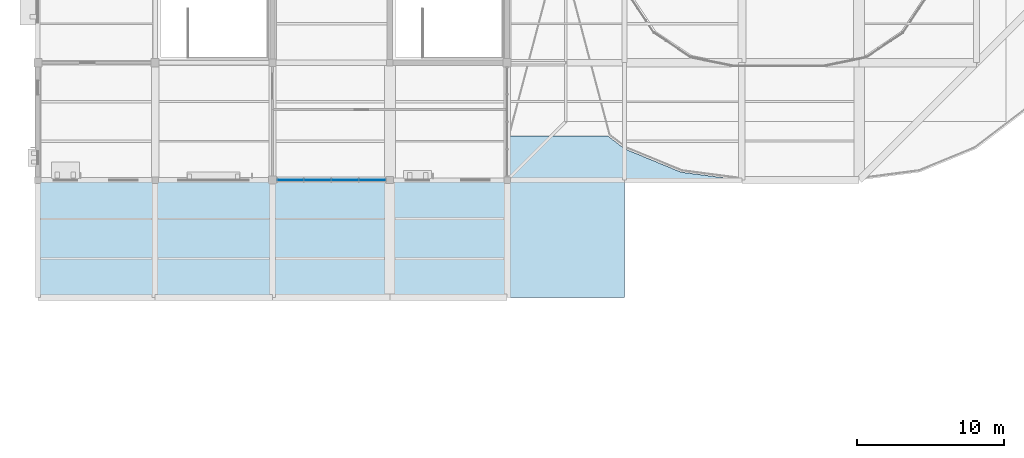
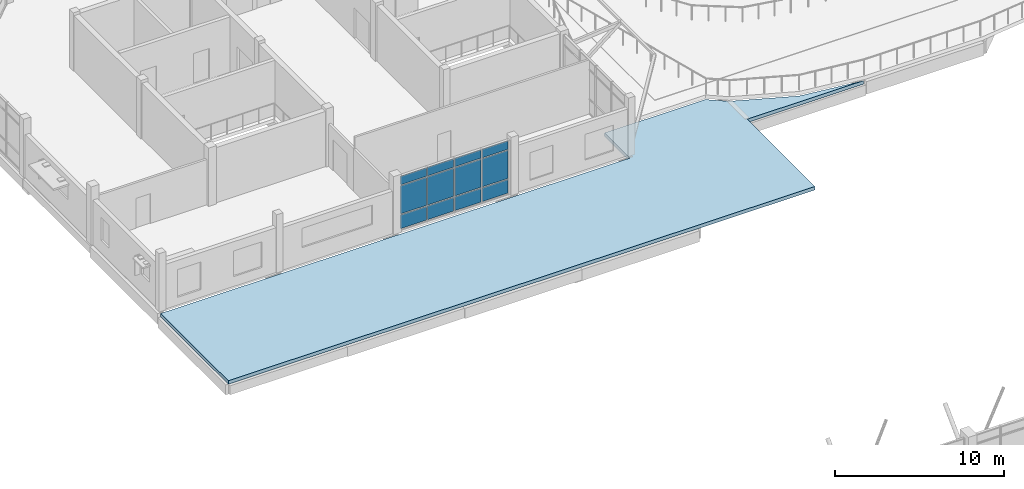
# One storey, part 34 of 44: 12 plates, 1 slab, 1 element without a shape of its own.
"""IFC4 building model written with IfcOpenShell, lengths in metres."""

from ifc_helpers import new_model, si_unit, direction, frame, origin, origin_2d, place, context, subcontext, project, spatial, polyline, rectangle, outline, extrude, material, layer, layer_set, type_object, element, aggregate, save


model = new_model("IFC4")

# Units and contexts
model_context = context("Model", 3, precision=1e-05, world=origin(), true_north=direction((0.0, 1.0)))
body_context = subcontext(model_context, "Body", "Model", "MODEL_VIEW")
ifc_project = project(units=[si_unit("LENGTHUNIT", "METRE"), si_unit("AREAUNIT", "SQUARE_METRE"), si_unit("VOLUMEUNIT", "CUBIC_METRE"), si_unit("PLANEANGLEUNIT", "RADIAN"), si_unit("MASSUNIT", "GRAM", prefix="KILO")], contexts=[model_context])

# Site, building, storey
site_placement = place(None, origin())
site = spatial("IfcSite", under=ifc_project, at=site_placement, CompositionType="ELEMENT")
building_placement = place(site_placement, origin())
building = spatial("IfcBuilding", under=site, at=building_placement, Name="Tenunan Teduh Sports Hall", CompositionType="ELEMENT")
storey_placement = place(building_placement, frame((0.0, 0.0, 19.199951171875)))
storey = spatial("IfcBuildingStorey", under=building, at=storey_placement, Name="L04", CompositionType="ELEMENT", Elevation=19.199951171875)

# Curtain wall, plates
ifc_material_1 = material(Name="Anodised aluminium", Category="aluminium")
curtain_wall_type = type_object("IfcCurtainWallType", Name="CW-UNIT-2", PredefinedType="NOTDEFINED", material=ifc_material_1)
curtain_wall_placement = place(storey_placement, origin())
curtain_wall = element("IfcCurtainWall", 1, at=curtain_wall_placement, inside=storey, type_object=curtain_wall_type, Name="CW-CWM-220-L04-229", PredefinedType="NOTDEFINED")
ifc_material_2 = material(Name="Solar-control laminated glazing", Category="glass")
ifc_layer_1 = layer(ifc_material_2, 0.031982421875)
ifc_layer_set_1 = layer_set([ifc_layer_1], Name="Solar-control laminated glazing")
plate_type_1 = type_object("IfcPlateType", Name="CWP-GLZ-32", PredefinedType="CURTAIN_PANEL", material=ifc_layer_set_1)
plate_1_placement = place(storey_placement, frame((23.22802734375, 86.0, 1.1376953125), z_axis=(0.0, 0.0, 1.0), x_axis=(1.0, 0.0, 0.0)))
plate_1 = element("IfcPlate", 2, at=plate_1_placement, type_object=plate_type_1, Name="CW-02 panel 1.2", PredefinedType="CURTAIN_PANEL", context=body_context, shape_type="SweptSolid", body=[
    extrude(rectangle(XDim=1.75634765625, YDim=0.031982421875, at=origin_2d()), origin(), (0.0, 0.0, 1.0), 2.02490234375),
])
plate_2_placement = place(storey_placement, frame((23.22802734375, 86.0, 3.237548828125), z_axis=(0.0, 0.0, 1.0), x_axis=(1.0, 0.0, 0.0)))
plate_2 = element("IfcPlate", 3, at=plate_2_placement, type_object=plate_type_1, Name="CW-02 panel 1.3", PredefinedType="CURTAIN_PANEL", context=body_context, shape_type="SweptSolid", body=[
    extrude(rectangle(XDim=1.75634765625, YDim=0.031982421875, at=origin_2d()), origin(), (0.0, 0.0, 1.0), 0.607421875),
])
plate_3_placement = place(storey_placement, frame((25.078125, 86.0, 1.1376953125), z_axis=(0.0, 0.0, 1.0), x_axis=(1.0, 0.0, 0.0)))
plate_3 = element("IfcPlate", 4, at=plate_3_placement, type_object=plate_type_1, Name="CW-02 panel 2.2", PredefinedType="CURTAIN_PANEL", context=body_context, shape_type="SweptSolid", body=[
    extrude(rectangle(XDim=1.793701171875, YDim=0.031982421875, at=origin_2d()), origin(), (0.0, 0.0, 1.0), 2.02490234375),
])
plate_4_placement = place(storey_placement, frame((25.078125, 86.0, 3.237548828125), z_axis=(0.0, 0.0, 1.0), x_axis=(1.0, 0.0, 0.0)))
plate_4 = element("IfcPlate", 5, at=plate_4_placement, type_object=plate_type_1, Name="CW-02 panel 2.3", PredefinedType="CURTAIN_PANEL", context=body_context, shape_type="SweptSolid", body=[
    extrude(rectangle(XDim=1.793701171875, YDim=0.031982421875, at=origin_2d()), origin(), (0.0, 0.0, 1.0), 0.607421875),
])
plate_5_placement = place(storey_placement, frame((26.94677734375, 86.0, 1.1376953125), z_axis=(0.0, 0.0, 1.0), x_axis=(1.0, 0.0, 0.0)))
plate_5 = element("IfcPlate", 6, at=plate_5_placement, type_object=plate_type_1, Name="CW-02 panel 3.2", PredefinedType="CURTAIN_PANEL", context=body_context, shape_type="SweptSolid", body=[
    extrude(rectangle(XDim=1.793701171875, YDim=0.031982421875, at=origin_2d()), origin(), (0.0, 0.0, 1.0), 2.02490234375),
])
plate_6_placement = place(storey_placement, frame((26.94677734375, 86.0, 3.237548828125), z_axis=(0.0, 0.0, 1.0), x_axis=(1.0, 0.0, 0.0)))
plate_6 = element("IfcPlate", 7, at=plate_6_placement, type_object=plate_type_1, Name="CW-02 panel 3.3", PredefinedType="CURTAIN_PANEL", context=body_context, shape_type="SweptSolid", body=[
    extrude(rectangle(XDim=1.793701171875, YDim=0.031982421875, at=origin_2d()), origin(), (0.0, 0.0, 1.0), 0.607421875),
])
plate_7_placement = place(storey_placement, frame((28.796875, 86.0, 1.1376953125), z_axis=(0.0, 0.0, 1.0), x_axis=(1.0, 0.0, 0.0)))
plate_7 = element("IfcPlate", 8, at=plate_7_placement, type_object=plate_type_1, Name="CW-02 panel 4.2", PredefinedType="CURTAIN_PANEL", context=body_context, shape_type="SweptSolid", body=[
    extrude(rectangle(XDim=1.75634765625, YDim=0.031982421875, at=origin_2d()), origin(), (0.0, 0.0, 1.0), 2.02490234375),
])
plate_8_placement = place(storey_placement, frame((28.796875, 86.0, 3.237548828125), z_axis=(0.0, 0.0, 1.0), x_axis=(1.0, 0.0, 0.0)))
plate_8 = element("IfcPlate", 9, at=plate_8_placement, type_object=plate_type_1, Name="CW-02 panel 4.3", PredefinedType="CURTAIN_PANEL", context=body_context, shape_type="SweptSolid", body=[
    extrude(rectangle(XDim=1.75634765625, YDim=0.031982421875, at=origin_2d()), origin(), (0.0, 0.0, 1.0), 0.607421875),
])
ifc_material_3 = material(Name="Insulated aluminium spandrel panel", Category="aluminium")
ifc_layer_2 = layer(ifc_material_3, 0.044921875)
ifc_layer_set_2 = layer_set([ifc_layer_2], Name="Insulated aluminium spandrel panel")
plate_type_2 = type_object("IfcPlateType", Name="CWP-SPN-45", PredefinedType="CURTAIN_PANEL", material=ifc_layer_set_2)
plate_9_placement = place(storey_placement, frame((23.22802734375, 86.0, 0.0751953125), z_axis=(0.0, 0.0, 1.0), x_axis=(1.0, 0.0, 0.0)))
plate_9 = element("IfcPlate", 10, at=plate_9_placement, type_object=plate_type_2, Name="CW-02 panel 1.1", PredefinedType="CURTAIN_PANEL", context=body_context, shape_type="SweptSolid", body=[
    extrude(rectangle(XDim=1.75634765625, YDim=0.031982421875, at=origin_2d()), origin(), (0.0, 0.0, 1.0), 0.987548828125),
])
plate_10_placement = place(storey_placement, frame((25.078125, 86.0, 0.0751953125), z_axis=(0.0, 0.0, 1.0), x_axis=(1.0, 0.0, 0.0)))
plate_10 = element("IfcPlate", 11, at=plate_10_placement, type_object=plate_type_2, Name="CW-02 panel 2.1", PredefinedType="CURTAIN_PANEL", context=body_context, shape_type="SweptSolid", body=[
    extrude(rectangle(XDim=1.793701171875, YDim=0.031982421875, at=origin_2d()), origin(), (0.0, 0.0, 1.0), 0.987548828125),
])
plate_11_placement = place(storey_placement, frame((26.94677734375, 86.0, 0.0751953125), z_axis=(0.0, 0.0, 1.0), x_axis=(1.0, 0.0, 0.0)))
plate_11 = element("IfcPlate", 12, at=plate_11_placement, type_object=plate_type_2, Name="CW-02 panel 3.1", PredefinedType="CURTAIN_PANEL", context=body_context, shape_type="SweptSolid", body=[
    extrude(rectangle(XDim=1.793701171875, YDim=0.031982421875, at=origin_2d()), origin(), (0.0, 0.0, 1.0), 0.987548828125),
])
plate_12_placement = place(storey_placement, frame((28.796875, 86.0, 0.0751953125), z_axis=(0.0, 0.0, 1.0), x_axis=(1.0, 0.0, 0.0)))
plate_12 = element("IfcPlate", 13, at=plate_12_placement, type_object=plate_type_2, Name="CW-02 panel 4.1", PredefinedType="CURTAIN_PANEL", context=body_context, shape_type="SweptSolid", body=[
    extrude(rectangle(XDim=1.75634765625, YDim=0.031982421875, at=origin_2d()), origin(), (0.0, 0.0, 1.0), 0.987548828125),
])
aggregate(curtain_wall, [plate_9, plate_1, plate_2, plate_10, plate_3, plate_4, plate_11, plate_5, plate_6, plate_12, plate_7, plate_8])

# Slab
ifc_material_4 = material(Name="Concrete C40/50", Category="concrete")
ifc_layer_3 = layer(ifc_material_4, 0.25)
ifc_layer_set_3 = layer_set([ifc_layer_3], Name="Concrete C40/50")
slab_type = type_object("IfcSlabType", Name="SLB-ROOF-250", PredefinedType="ROOF", material=ifc_layer_set_3)
slab_placement = place(storey_placement, frame((0.0, 0.0, -0.570068359375)))
element("IfcSlab", 14, at=slab_placement, inside=storey, type_object=slab_type, Name="Oval Track Infield Acoustic Roof Deck 1", PredefinedType="ROOF", context=body_context, shape_type="SweptSolid", body=[
    extrude(outline(polyline([(46.0, 78.0), (6.0, 78.0), (6.0, 86.0), (38.0, 86.0), (38.0, 88.989990234375), (44.881103515625, 88.989990234375), (45.993896484375, 88.135986328125), (45.9951171875, 88.135986328125), (45.9951171875, 88.135009765625), (45.99609375, 88.135009765625), (49.85498046875, 86.535888671875), (49.85595703125, 86.534912109375), (49.85693359375, 86.534912109375), (49.85791015625, 86.534912109375), (53.923095703125, 86.0), (46.0, 86.0), (46.0, 78.0)])), origin(), (0.0, 0.0, 1.0), 0.25),
])

save(model, "model.ifc")
